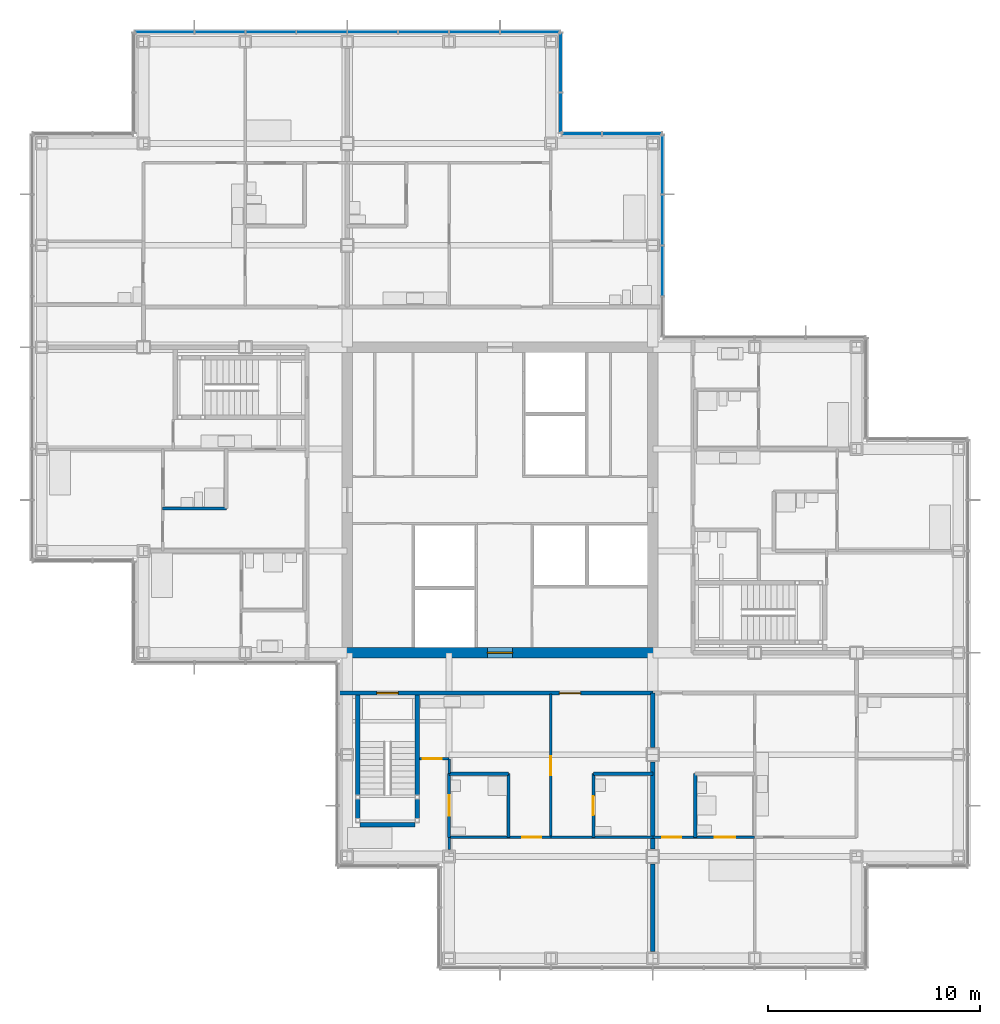
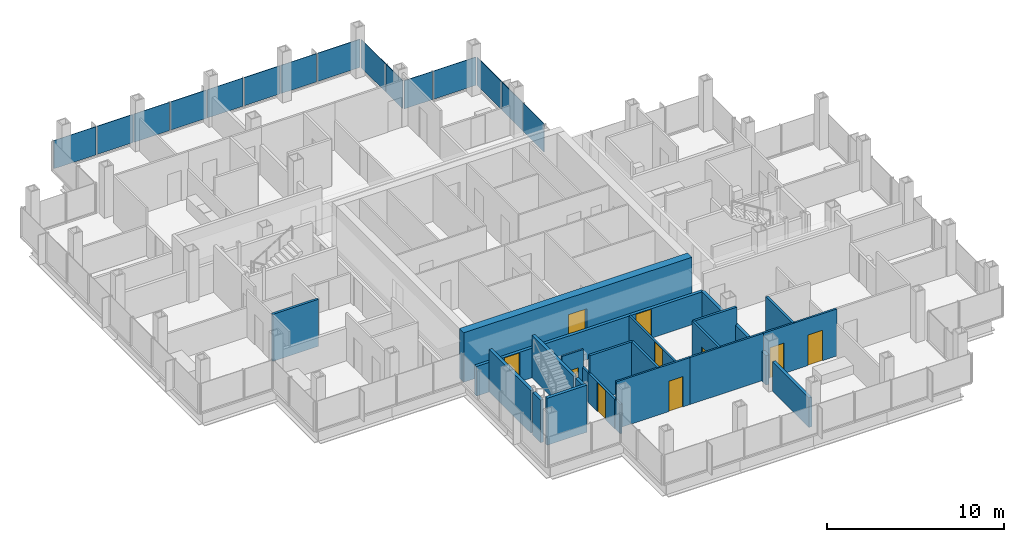
# One storey, part 13 of 20: 24 walls, 15 plates, 10 doors, 10 openings, 4 elements without a shape of their own.
"""IFC4 building model written with IfcOpenShell, lengths in metres."""

from ifc_helpers import new_model, si_unit, direction, frame, frame_2d, origin, origin_2d, place, context, subcontext, project, spatial, rectangle, extrude, material, layer, layer_set, type_object, element, fill, aggregate, save


model = new_model("IFC4")

# Units and contexts
model_context = context("Model", 3, precision=1e-05, world=origin(), true_north=direction((0.0, 1.0)))
body_context = subcontext(model_context, "Body", "Model", "MODEL_VIEW")
ifc_project = project(units=[si_unit("LENGTHUNIT", "METRE"), si_unit("AREAUNIT", "SQUARE_METRE"), si_unit("VOLUMEUNIT", "CUBIC_METRE"), si_unit("PLANEANGLEUNIT", "RADIAN"), si_unit("MASSUNIT", "GRAM", prefix="KILO")], contexts=[model_context])

# Site, building, storey
site_placement = place(None, origin())
site = spatial("IfcSite", under=ifc_project, at=site_placement, CompositionType="ELEMENT")
building_placement = place(site_placement, origin())
building = spatial("IfcBuilding", under=site, at=building_placement, Name="Kvirike Care Tower", CompositionType="ELEMENT")
storey_placement = place(building_placement, frame((0.0, 0.0, 133.0)))
storey = spatial("IfcBuildingStorey", under=building, at=storey_placement, Name="L36", CompositionType="ELEMENT", Elevation=133.0)

# Curtain wall, plates
ifc_material_1 = material(Name="Anodised aluminium stick system", Category="aluminium")
curtain_wall_type = type_object("IfcCurtainWallType", Name="CW-B STICK CURTAIN WALL", PredefinedType="NOTDEFINED", material=ifc_material_1)
curtain_wall_1_placement = place(storey_placement, origin())
curtain_wall_1 = element("IfcCurtainWall", 1, at=curtain_wall_1_placement, inside=storey, type_object=curtain_wall_type, Name="Curtain wall L36 face 5", PredefinedType="NOTDEFINED")
ifc_material_2 = material(Name="Tinted double glazed unit", Category="glass")
ifc_layer_1 = layer(ifc_material_2, 0.035888671875)
ifc_layer_set_1 = layer_set([ifc_layer_1], Name="TINTED VISION PANEL 36")
plate_type = type_object("IfcPlateType", Name="TINTED VISION PANEL 36", PredefinedType="CURTAIN_PANEL", material=ifc_layer_set_1)
plate_1_placement = place(storey_placement, frame((29.260009765625, 46.800048828125, 0.10009765625), z_axis=(0.0, 0.0, 1.0), x_axis=(0.0, 1.0, 0.0)))
plate_1 = element("IfcPlate", 2, at=plate_1_placement, type_object=plate_type, Name="CW-B panel L36 face 5.2", PredefinedType="CURTAIN_PANEL", context=body_context, shape_type="SweptSolid", body=[
    extrude(rectangle(XDim=2.3349609375, YDim=0.035888671875, at=origin_2d()), origin(), (0.0, 0.0, 1.0), 1.949951171875),
])
plate_2_placement = place(storey_placement, frame((29.260009765625, 49.199951171875, 0.10009765625), z_axis=(0.0, 0.0, 1.0), x_axis=(0.0, 1.0, 0.0)))
plate_2 = element("IfcPlate", 3, at=plate_2_placement, type_object=plate_type, Name="CW-B panel L36 face 5.3", PredefinedType="CURTAIN_PANEL", context=body_context, shape_type="SweptSolid", body=[
    extrude(rectangle(XDim=2.3349609375, YDim=0.035888671875, at=origin_2d()), origin(), (0.0, 0.0, 1.0), 1.949951171875),
])
plate_3_placement = place(storey_placement, frame((29.260009765625, 51.813720703125, 0.10009765625), z_axis=(0.0, 0.0, 1.0), x_axis=(0.0, 1.0, 0.0)))
plate_3 = element("IfcPlate", 4, at=plate_3_placement, type_object=plate_type, Name="CW-B panel L36 face 5.4", PredefinedType="CURTAIN_PANEL", context=body_context, shape_type="SweptSolid", body=[
    extrude(rectangle(XDim=2.762451171875, YDim=0.035888671875, at=origin_2d()), origin(), (0.0, 0.0, 1.0), 1.949951171875),
])
aggregate(curtain_wall_1, [plate_1, plate_2, plate_3])

curtain_wall_2_placement = place(storey_placement, origin())
curtain_wall_2 = element("IfcCurtainWall", 5, at=curtain_wall_2_placement, inside=storey, type_object=curtain_wall_type, Name="Curtain wall L36 face 6", PredefinedType="NOTDEFINED")
plate_4_placement = place(storey_placement, frame((27.813720703125, 53.260009765625, 0.10009765625), z_axis=(0.0, 0.0, 1.0), x_axis=(-1.0, 0.0, 0.0)))
plate_4 = element("IfcPlate", 6, at=plate_4_placement, type_object=plate_type, Name="CW-B panel L36 face 6.1", PredefinedType="CURTAIN_PANEL", context=body_context, shape_type="SweptSolid", body=[
    extrude(rectangle(XDim=2.762451171875, YDim=0.035888671875, at=origin_2d()), origin(), (0.0, 0.0, 1.0), 1.949951171875),
])
plate_5_placement = place(storey_placement, frame((25.4462890625, 53.260009765625, 0.10009765625), z_axis=(0.0, 0.0, 1.0), x_axis=(-1.0, 0.0, 0.0)))
plate_5 = element("IfcPlate", 7, at=plate_5_placement, type_object=plate_type, Name="CW-B panel L36 face 6.2", PredefinedType="CURTAIN_PANEL", context=body_context, shape_type="SweptSolid", body=[
    extrude(rectangle(XDim=1.842529296875, YDim=0.035888671875, at=origin_2d()), origin(), (0.0, 0.0, 1.0), 1.949951171875),
])
aggregate(curtain_wall_2, [plate_4, plate_5])

curtain_wall_3_placement = place(storey_placement, origin())
curtain_wall_3 = element("IfcCurtainWall", 8, at=curtain_wall_3_placement, inside=storey, type_object=curtain_wall_type, Name="Curtain wall L36 face 7", PredefinedType="NOTDEFINED")
plate_6_placement = place(storey_placement, frame((24.4599609375, 54.246337890625, 0.10009765625), z_axis=(0.0, 0.0, 1.0), x_axis=(0.0, 1.0, 0.0)))
plate_6 = element("IfcPlate", 9, at=plate_6_placement, type_object=plate_type, Name="CW-B panel L36 face 7.1", PredefinedType="CURTAIN_PANEL", context=body_context, shape_type="SweptSolid", body=[
    extrude(rectangle(XDim=1.842529296875, YDim=0.035888671875, at=origin_2d()), origin(), (0.0, 0.0, 1.0), 1.949951171875),
])
plate_7_placement = place(storey_placement, frame((24.4599609375, 56.61376953125, 0.10009765625), z_axis=(0.0, 0.0, 1.0), x_axis=(0.0, 1.0, 0.0)))
plate_7 = element("IfcPlate", 10, at=plate_7_placement, type_object=plate_type, Name="CW-B panel L36 face 7.2", PredefinedType="CURTAIN_PANEL", context=body_context, shape_type="SweptSolid", body=[
    extrude(rectangle(XDim=2.762451171875, YDim=0.035888671875, at=origin_2d()), origin(), (0.0, 0.0, 1.0), 1.949951171875),
])
aggregate(curtain_wall_3, [plate_6, plate_7])

curtain_wall_4_placement = place(storey_placement, origin())
curtain_wall_4 = element("IfcCurtainWall", 11, at=curtain_wall_4_placement, inside=storey, type_object=curtain_wall_type, Name="Curtain wall L36 face 8", PredefinedType="NOTDEFINED")
plate_8_placement = place(storey_placement, frame((23.013671875, 58.06005859375, 0.10009765625), z_axis=(0.0, 0.0, 1.0), x_axis=(-1.0, 0.0, 0.0)))
plate_8 = element("IfcPlate", 12, at=plate_8_placement, type_object=plate_type, Name="CW-B panel L36 face 8.1", PredefinedType="CURTAIN_PANEL", context=body_context, shape_type="SweptSolid", body=[
    extrude(rectangle(XDim=2.762451171875, YDim=0.035888671875, at=origin_2d()), origin(), (0.0, 0.0, 1.0), 1.949951171875),
])
plate_9_placement = place(storey_placement, frame((20.39990234375, 58.06005859375, 0.10009765625), z_axis=(0.0, 0.0, 1.0), x_axis=(-1.0, 0.0, 0.0)))
plate_9 = element("IfcPlate", 13, at=plate_9_placement, type_object=plate_type, Name="CW-B panel L36 face 8.2", PredefinedType="CURTAIN_PANEL", context=body_context, shape_type="SweptSolid", body=[
    extrude(rectangle(XDim=2.3349609375, YDim=0.035888671875, at=origin_2d()), origin(), (0.0, 0.0, 1.0), 1.949951171875),
])
plate_10_placement = place(storey_placement, frame((18.0, 58.06005859375, 0.10009765625), z_axis=(0.0, 0.0, 1.0), x_axis=(-1.0, 0.0, 0.0)))
plate_10 = element("IfcPlate", 14, at=plate_10_placement, type_object=plate_type, Name="CW-B panel L36 face 8.3", PredefinedType="CURTAIN_PANEL", context=body_context, shape_type="SweptSolid", body=[
    extrude(rectangle(XDim=2.3349609375, YDim=0.035888671875, at=origin_2d()), origin(), (0.0, 0.0, 1.0), 1.949951171875),
])
plate_11_placement = place(storey_placement, frame((15.60009765625, 58.06005859375, 0.10009765625), z_axis=(0.0, 0.0, 1.0), x_axis=(-1.0, 0.0, 0.0)))
plate_11 = element("IfcPlate", 15, at=plate_11_placement, type_object=plate_type, Name="CW-B panel L36 face 8.4", PredefinedType="CURTAIN_PANEL", context=body_context, shape_type="SweptSolid", body=[
    extrude(rectangle(XDim=2.3349609375, YDim=0.035888671875, at=origin_2d()), origin(), (0.0, 0.0, 1.0), 1.949951171875),
])
plate_12_placement = place(storey_placement, frame((13.199951171875, 58.06005859375, 0.10009765625), z_axis=(0.0, 0.0, 1.0), x_axis=(-1.0, 0.0, 0.0)))
plate_12 = element("IfcPlate", 16, at=plate_12_placement, type_object=plate_type, Name="CW-B panel L36 face 8.5", PredefinedType="CURTAIN_PANEL", context=body_context, shape_type="SweptSolid", body=[
    extrude(rectangle(XDim=2.3349609375, YDim=0.035888671875, at=origin_2d()), origin(), (0.0, 0.0, 1.0), 1.949951171875),
])
plate_13_placement = place(storey_placement, frame((10.800048828125, 58.06005859375, 0.10009765625), z_axis=(0.0, 0.0, 1.0), x_axis=(-1.0, 0.0, 0.0)))
plate_13 = element("IfcPlate", 17, at=plate_13_placement, type_object=plate_type, Name="CW-B panel L36 face 8.6", PredefinedType="CURTAIN_PANEL", context=body_context, shape_type="SweptSolid", body=[
    extrude(rectangle(XDim=2.3349609375, YDim=0.035888671875, at=origin_2d()), origin(), (0.0, 0.0, 1.0), 1.949951171875),
])
plate_14_placement = place(storey_placement, frame((8.39990234375, 58.06005859375, 0.10009765625), z_axis=(0.0, 0.0, 1.0), x_axis=(-1.0, 0.0, 0.0)))
plate_14 = element("IfcPlate", 18, at=plate_14_placement, type_object=plate_type, Name="CW-B panel L36 face 8.7", PredefinedType="CURTAIN_PANEL", context=body_context, shape_type="SweptSolid", body=[
    extrude(rectangle(XDim=2.3349609375, YDim=0.035888671875, at=origin_2d()), origin(), (0.0, 0.0, 1.0), 1.949951171875),
])
plate_15_placement = place(storey_placement, frame((5.7861328125, 58.06005859375, 0.10009765625), z_axis=(0.0, 0.0, 1.0), x_axis=(-1.0, 0.0, 0.0)))
plate_15 = element("IfcPlate", 19, at=plate_15_placement, type_object=plate_type, Name="CW-B panel L36 face 8.8", PredefinedType="CURTAIN_PANEL", context=body_context, shape_type="SweptSolid", body=[
    extrude(rectangle(XDim=2.762451171875, YDim=0.035888671875, at=origin_2d()), origin(), (0.0, 0.0, 1.0), 1.949951171875),
])
aggregate(curtain_wall_4, [plate_8, plate_9, plate_10, plate_11, plate_12, plate_13, plate_14, plate_15])

# Wall
ifc_material_3 = material(Name="Moisture-resistant board partition", Category="gypsum")
ifc_layer_2 = layer(ifc_material_3, 0.14990234375)
ifc_layer_set_2 = layer_set([ifc_layer_2], Name="BATHROOM WALL 150")
wall_type_1 = type_object("IfcWallType", Name="BATHROOM WALL 150", PredefinedType="PARTITIONING", material=ifc_layer_set_2)
wall_1_placement = place(storey_placement, frame((5.699951171875, 35.60009765625, 0.0), z_axis=(0.0, 0.0, 1.0), x_axis=(1.0, 0.0, 0.0)))
element("IfcWall", 20, at=wall_1_placement, inside=storey, type_object=wall_type_1, Name="Bathroom Wall 150 L36", PredefinedType="PARTITIONING", context=body_context, shape_type="SweptSolid", body=[
    extrude(rectangle(XDim=3.0, YDim=0.14990234375, at=frame_2d((1.5, 0.0))), origin(), (0.0, 0.0, 1.0), 3.25),
])

# Wall, opening, door
wall_2_placement = place(storey_placement, frame((26.0, 20.10009765625, 0.0), z_axis=(0.0, 0.0, 1.0), x_axis=(0.0, 1.0, 0.0)))
wall_2 = element("IfcWall", 21, at=wall_2_placement, inside=storey, type_object=wall_type_1, Name="Bathroom Wall 150 L36", PredefinedType="PARTITIONING", context=body_context, shape_type="SweptSolid", body=[
    extrude(rectangle(XDim=3.0, YDim=0.14990234375, at=frame_2d((1.5, 0.0))), origin(), (0.0, 0.0, 1.0), 3.25),
])
opening_1_placement = place(wall_2_placement, frame((1.050048828125, 0.0, 0.0)))
opening_1 = element("IfcOpeningElement", 22, at=opening_1_placement, cuts=wall_2, Name="Opening 36-016", PredefinedType="OPENING", context=body_context, shape_type="SweptSolid", body=[
    extrude(rectangle(XDim=0.89990234375, YDim=2.10009765625, at=frame_2d((0.449951171875, 1.050048828125))), frame((0.0, 0.08544921875, 0.0), z_axis=(0.0, -1.0, 0.0), x_axis=(1.0, 0.0, 0.0)), (0.0, 0.0, 1.0), 0.1708984375),
])
ifc_material_4 = material(Name="Timber door set", Category="wood")
door_type_1 = type_object("IfcDoorType", Name="BATHROOM DOOR 900", OperationType="SINGLE_SWING_RIGHT", PredefinedType="DOOR", material=ifc_material_4)
door_1_placement = place(opening_1_placement, frame((0.89990234375, 0.0, 0.0), z_axis=(0.0, 0.0, 1.0), x_axis=(-1.0, 0.0, 0.0)))
door_1 = element("IfcDoor", 23, at=door_1_placement, inside=storey, type_object=door_type_1, Name="Accessible WC door", OperationType="SINGLE_SWING_LEFT", OverallHeight=2.10009765625, OverallWidth=0.89990234375, PredefinedType="DOOR", context=body_context, shape_type="SweptSolid", body=[
    extrude(rectangle(XDim=0.89990234375, YDim=2.10009765625, at=frame_2d((0.449951171875, 1.050048828125))), frame((0.0, 0.02197265625, 0.0), z_axis=(0.0, -1.0, 0.0), x_axis=(1.0, 0.0, 0.0)), (0.0, 0.0, 1.0), 0.0439453125),
])
fill(opening_1, door_1)

# Wall
wall_3_placement = place(storey_placement, frame((26.0, 23.10009765625, 0.0), z_axis=(0.0, 0.0, 1.0), x_axis=(1.0, 0.0, 0.0)))
element("IfcWall", 24, at=wall_3_placement, inside=storey, type_object=wall_type_1, Name="Bathroom Wall 150 L36", PredefinedType="PARTITIONING", context=body_context, shape_type="SweptSolid", body=[
    extrude(rectangle(XDim=2.800048828125, YDim=0.14990234375, at=frame_2d((1.39990234375, 0.0))), origin(), (0.0, 0.0, 1.0), 3.25),
])

# Wall, opening, door
wall_4_placement = place(storey_placement, frame((19.199951171875, 20.10009765625, 0.0), z_axis=(0.0, 0.0, 1.0), x_axis=(0.0, 1.0, 0.0)))
wall_4 = element("IfcWall", 25, at=wall_4_placement, inside=storey, type_object=wall_type_1, Name="Bathroom Wall 150 L36", PredefinedType="PARTITIONING", context=body_context, shape_type="SweptSolid", body=[
    extrude(rectangle(XDim=3.0, YDim=0.14990234375, at=frame_2d((1.5, 0.0))), origin(), (0.0, 0.0, 1.0), 2.0400390625),
])
opening_2_placement = place(wall_4_placement, frame((1.02490234375, 0.0, 0.0)))
opening_2 = element("IfcOpeningElement", 26, at=opening_2_placement, cuts=wall_4, Name="Opening 36-017", PredefinedType="OPENING", context=body_context, shape_type="SweptSolid", body=[
    extrude(rectangle(XDim=0.949951171875, YDim=2.0, at=frame_2d((0.47509765625, 1.0))), frame((0.0, 0.08544921875, 0.0), z_axis=(0.0, -1.0, 0.0), x_axis=(1.0, 0.0, 0.0)), (0.0, 0.0, 1.0), 0.1708984375),
])
ifc_material_5 = material(Name="Timber door set", Category="wood")
door_type_2 = type_object("IfcDoorType", Name="EN-SUITE SLIDING DOOR 950 x 2000", OperationType="SLIDING_TO_LEFT", PredefinedType="DOOR", material=ifc_material_5)
door_2_placement = place(opening_2_placement, origin())
door_2 = element("IfcDoor", 27, at=door_2_placement, inside=storey, type_object=door_type_2, Name="En-suite door", OperationType="SLIDING_TO_LEFT", OverallHeight=2.0, OverallWidth=0.949951171875, PredefinedType="DOOR", context=body_context, shape_type="SweptSolid", body=[
    extrude(rectangle(XDim=0.949951171875, YDim=2.0, at=frame_2d((0.47509765625, 1.0))), frame((0.0, 0.02197265625, 0.0), z_axis=(0.0, -1.0, 0.0), x_axis=(1.0, 0.0, 0.0)), (0.0, 0.0, 1.0), 0.0439453125),
])
fill(opening_2, door_2)

# Walls
wall_5_placement = place(storey_placement, frame((22.0, 20.10009765625, 0.0), z_axis=(0.0, 0.0, 1.0), x_axis=(0.0, 1.0, 0.0)))
element("IfcWall", 28, at=wall_5_placement, inside=storey, type_object=wall_type_1, Name="Bathroom Wall 150 L36", PredefinedType="PARTITIONING", context=body_context, shape_type="SweptSolid", body=[
    extrude(rectangle(XDim=3.0, YDim=0.14990234375, at=frame_2d((1.5, 0.0))), origin(), (0.0, 0.0, 1.0), 3.25),
])
wall_6_placement = place(storey_placement, frame((19.199951171875, 23.10009765625, 0.0), z_axis=(0.0, 0.0, 1.0), x_axis=(1.0, 0.0, 0.0)))
element("IfcWall", 29, at=wall_6_placement, inside=storey, type_object=wall_type_1, Name="Bathroom Wall 150 L36", PredefinedType="PARTITIONING", context=body_context, shape_type="SweptSolid", body=[
    extrude(rectangle(XDim=2.800048828125, YDim=0.14990234375, at=frame_2d((1.39990234375, 0.0))), origin(), (0.0, 0.0, 1.0), 3.25),
])
wall_7_placement = place(storey_placement, frame((30.800048828125, 20.10009765625, 0.0), z_axis=(0.0, 0.0, 1.0), x_axis=(0.0, 1.0, 0.0)))
element("IfcWall", 30, at=wall_7_placement, inside=storey, type_object=wall_type_1, Name="Bathroom Wall 150 L36", PredefinedType="PARTITIONING", context=body_context, shape_type="SweptSolid", body=[
    extrude(rectangle(XDim=3.0, YDim=0.14990234375, at=frame_2d((1.5, 0.0))), origin(), (0.0, 0.0, 1.0), 3.25),
])

# Wall, opening, door
ifc_material_6 = material(Name="Concrete C50/60", Category="concrete")
ifc_layer_3 = layer(ifc_material_6, 0.5)
ifc_layer_set_3 = layer_set([ifc_layer_3], Name="CORE WALL 500 C50-60")
wall_type_2 = type_object("IfcWallType", Name="CORE WALL 500 C50-60", PredefinedType="SHEAR", material=ifc_layer_set_3)
wall_8_placement = place(storey_placement, frame((14.14990234375, 28.800048828125, -0.169921875), z_axis=(0.0, 0.0, 1.0), x_axis=(1.0, 0.0, 0.0)))
wall_8 = element("IfcWall", 31, at=wall_8_placement, inside=storey, type_object=wall_type_2, Name="Core wall S L36", PredefinedType="SHEAR", context=body_context, shape_type="SweptSolid", body=[
    extrude(rectangle(XDim=14.900146484375, YDim=0.5, at=frame_2d((7.4501953125, 0.0))), origin(), (0.0, 0.0, 1.0), 3.419921875),
])
opening_3_placement = place(wall_8_placement, frame((6.85009765625, 0.0, 0.169921875)))
opening_3 = element("IfcOpeningElement", 32, at=opening_3_placement, cuts=wall_8, Name="Opening 36-056", PredefinedType="OPENING", context=body_context, shape_type="SweptSolid", body=[
    extrude(rectangle(XDim=1.199951171875, YDim=2.10009765625, at=frame_2d((0.60009765625, 1.050048828125))), frame((0.0, 0.260498046875, 0.0), z_axis=(0.0, -1.0, 0.0), x_axis=(1.0, 0.0, 0.0)), (0.0, 0.0, 1.0), 0.52099609375),
])
ifc_material_7 = material(Name="Timber door set", Category="wood")
door_type_3 = type_object("IfcDoorType", Name="CORE DOOR 1200", OperationType="SINGLE_SWING_LEFT", PredefinedType="DOOR", material=ifc_material_7)
door_3_placement = place(opening_3_placement, origin())
door_3 = element("IfcDoor", 33, at=door_3_placement, inside=storey, type_object=door_type_3, Name="Core door S L36", OperationType="SINGLE_SWING_LEFT", OverallHeight=2.10009765625, OverallWidth=1.199951171875, PredefinedType="DOOR", context=body_context, shape_type="SweptSolid", body=[
    extrude(rectangle(XDim=1.199951171875, YDim=2.10009765625, at=frame_2d((0.60009765625, 1.050048828125))), frame((0.0, 0.02685546875, 0.0), z_axis=(0.0, -1.0, 0.0), x_axis=(1.0, 0.0, 0.0)), (0.0, 0.0, 1.0), 0.053955078125),
])
fill(opening_3, door_3)

# Wall, openings, doors
ifc_material_8 = material(Name="Plasterboard corridor wall", Category="gypsum")
ifc_layer_4 = layer(ifc_material_8, 0.199951171875)
ifc_layer_set_4 = layer_set([ifc_layer_4], Name="CORRIDOR WALL 200")
wall_type_3 = type_object("IfcWallType", Name="CORRIDOR WALL 200", PredefinedType="PARTITIONING", material=ifc_layer_set_4)
wall_9_placement = place(storey_placement, frame((13.9599609375, 26.89990234375, 0.0), z_axis=(0.0, 0.0, 1.0), x_axis=(1.0, 0.0, 0.0)))
wall_9 = element("IfcWall", 34, at=wall_9_placement, inside=storey, type_object=wall_type_3, Name="Corridor Wall 200 L36", PredefinedType="PARTITIONING", context=body_context, shape_type="SweptSolid", body=[
    extrude(rectangle(XDim=14.840087890625, YDim=0.199951171875, at=frame_2d((7.419921875, 0.0))), origin(), (0.0, 0.0, 1.0), 2.0400390625),
])
opening_4_placement = place(wall_9_placement, frame((1.840087890625, 0.0, 0.0)))
opening_4 = element("IfcOpeningElement", 35, at=opening_4_placement, cuts=wall_9, Name="Opening 36-021", PredefinedType="OPENING", context=body_context, shape_type="SweptSolid", body=[
    extrude(rectangle(XDim=1.0, YDim=2.0, at=frame_2d((0.5, 1.0))), frame((0.0, 0.110595703125, 0.0), z_axis=(0.0, -1.0, 0.0), x_axis=(1.0, 0.0, 0.0)), (0.0, 0.0, 1.0), 0.220947265625),
])
opening_5_placement = place(wall_9_placement, frame((10.43994140625, 0.0, 0.0)))
opening_5 = element("IfcOpeningElement", 36, at=opening_5_placement, cuts=wall_9, Name="Opening 36-022", PredefinedType="OPENING", context=body_context, shape_type="SweptSolid", body=[
    extrude(rectangle(XDim=1.0, YDim=2.0, at=frame_2d((0.5, 1.0))), frame((0.0, 0.110595703125, 0.0), z_axis=(0.0, -1.0, 0.0), x_axis=(1.0, 0.0, 0.0)), (0.0, 0.0, 1.0), 0.220947265625),
])
ifc_material_9 = material(Name="Timber door set", Category="wood")
door_type_4 = type_object("IfcDoorType", Name="FLAT ENTRANCE DOOR 1000 x 2000", OperationType="SINGLE_SWING_LEFT", PredefinedType="DOOR", material=ifc_material_9)
door_4_placement = place(opening_5_placement, frame((1.0, 0.0, 0.0), z_axis=(0.0, 0.0, 1.0), x_axis=(-1.0, 0.0, 0.0)))
door_4 = element("IfcDoor", 37, at=door_4_placement, inside=storey, type_object=door_type_4, Name="Assisted living suite for couples entrance", OperationType="SINGLE_SWING_LEFT", OverallHeight=2.0, OverallWidth=1.0, PredefinedType="DOOR", context=body_context, shape_type="SweptSolid", body=[
    extrude(rectangle(XDim=1.0, YDim=2.0, at=frame_2d((0.5, 1.0))), frame((0.0, 0.02685546875, 0.0), z_axis=(0.0, -1.0, 0.0), x_axis=(1.0, 0.0, 0.0)), (0.0, 0.0, 1.0), 0.053955078125),
])
fill(opening_5, door_4)
ifc_material_10 = material(Name="Timber door set", Category="wood")
door_type_5 = type_object("IfcDoorType", Name="STAIR DOOR 1000 x 2000", OperationType="SINGLE_SWING_LEFT", PredefinedType="DOOR", material=ifc_material_10)
door_5_placement = place(opening_4_placement, frame((1.0, 0.0, 0.0), z_axis=(0.0, 0.0, 1.0), x_axis=(-1.0, 0.0, 0.0)))
door_5 = element("IfcDoor", 38, at=door_5_placement, inside=storey, type_object=door_type_5, Name="Stair 5 door", OperationType="SINGLE_SWING_RIGHT", OverallHeight=2.0, OverallWidth=1.0, PredefinedType="DOOR", context=body_context, shape_type="SweptSolid", body=[
    extrude(rectangle(XDim=1.0, YDim=2.0, at=frame_2d((0.5, 1.0))), frame((0.0, 0.031982421875, 0.0), z_axis=(0.0, -1.0, 0.0), x_axis=(1.0, 0.0, 0.0)), (0.0, 0.0, 1.0), 0.06396484375),
])
fill(opening_4, door_5)

# Wall, opening, door
ifc_material_11 = material(Name="Plasterboard partition", Category="gypsum")
ifc_layer_5 = layer(ifc_material_11, 0.1201171875)
ifc_layer_set_5 = layer_set([ifc_layer_5], Name="PARTITION 120")
wall_type_4 = type_object("IfcWallType", Name="PARTITION 120", PredefinedType="PARTITIONING", material=ifc_layer_set_5)
wall_10_placement = place(storey_placement, frame((24.0, 20.10009765625, 0.0), z_axis=(0.0, 0.0, 1.0), x_axis=(0.0, 1.0, 0.0)))
wall_10 = element("IfcWall", 39, at=wall_10_placement, inside=storey, type_object=wall_type_4, Name="Partition 120 L36", PredefinedType="PARTITIONING", context=body_context, shape_type="SweptSolid", body=[
    extrude(rectangle(XDim=6.75, YDim=0.1201171875, at=frame_2d((3.375, 0.0))), origin(), (0.0, 0.0, 1.0), 2.0400390625),
])
opening_6_placement = place(wall_10_placement, frame((2.925048828125, 0.0, 0.0)))
opening_6 = element("IfcOpeningElement", 40, at=opening_6_placement, cuts=wall_10, Name="Opening 36-018", PredefinedType="OPENING", context=body_context, shape_type="SweptSolid", body=[
    extrude(rectangle(XDim=0.89990234375, YDim=2.0, at=frame_2d((0.449951171875, 1.0))), frame((0.0, 0.070556640625, 0.0), z_axis=(0.0, -1.0, 0.0), x_axis=(1.0, 0.0, 0.0)), (0.0, 0.0, 1.0), 0.14111328125),
])
ifc_material_12 = material(Name="Timber door set", Category="wood")
door_type_6 = type_object("IfcDoorType", Name="INTERNAL DOOR 900 x 2000", OperationType="SINGLE_SWING_LEFT", PredefinedType="DOOR", material=ifc_material_12)
door_6_placement = place(opening_6_placement, frame((0.89990234375, 0.0, 0.0), z_axis=(0.0, 0.0, 1.0), x_axis=(-1.0, 0.0, 0.0)))
door_6 = element("IfcDoor", 41, at=door_6_placement, inside=storey, type_object=door_type_6, Name="Hall door", OperationType="SINGLE_SWING_RIGHT", OverallHeight=2.0, OverallWidth=0.89990234375, PredefinedType="DOOR", context=body_context, shape_type="SweptSolid", body=[
    extrude(rectangle(XDim=0.89990234375, YDim=2.0, at=frame_2d((0.449951171875, 1.0))), frame((0.0, 0.02197265625, 0.0), z_axis=(0.0, -1.0, 0.0), x_axis=(1.0, 0.0, 0.0)), (0.0, 0.0, 1.0), 0.0439453125),
])
fill(opening_6, door_6)

wall_11_placement = place(storey_placement, frame((17.800048828125, 23.800048828125, 0.0), z_axis=(0.0, 0.0, 1.0), x_axis=(1.0, 0.0, 0.0)))
wall_11 = element("IfcWall", 42, at=wall_11_placement, inside=storey, type_object=wall_type_4, Name="Partition 120 L36", PredefinedType="PARTITIONING", context=body_context, shape_type="SweptSolid", body=[
    extrude(rectangle(XDim=1.39990234375, YDim=0.1201171875, at=frame_2d((0.699951171875, 0.0))), origin(), (0.0, 0.0, 1.0), 3.25),
])
opening_7_placement = place(wall_11_placement, frame((0.14990234375, 0.0, 0.0)))
opening_7 = element("IfcOpeningElement", 43, at=opening_7_placement, cuts=wall_11, Name="Opening 36-019", PredefinedType="OPENING", context=body_context, shape_type="SweptSolid", body=[
    extrude(rectangle(XDim=0.89990234375, YDim=2.10009765625, at=frame_2d((0.449951171875, 1.050048828125))), frame((0.0, 0.070556640625, 0.0), z_axis=(0.0, -1.0, 0.0), x_axis=(1.0, 0.0, 0.0)), (0.0, 0.0, 1.0), 0.14111328125),
])
ifc_material_13 = material(Name="Timber door set", Category="wood")
door_type_7 = type_object("IfcDoorType", Name="INTERNAL DOOR 900", OperationType="SINGLE_SWING_LEFT", PredefinedType="DOOR", material=ifc_material_13)
door_7_placement = place(opening_7_placement, frame((0.89990234375, 0.0, 0.0), z_axis=(0.0, 0.0, 1.0), x_axis=(-1.0, 0.0, 0.0)))
door_7 = element("IfcDoor", 44, at=door_7_placement, inside=storey, type_object=door_type_7, Name="Assisted living suite door", OperationType="SINGLE_SWING_LEFT", OverallHeight=2.10009765625, OverallWidth=0.89990234375, PredefinedType="DOOR", context=body_context, shape_type="SweptSolid", body=[
    extrude(rectangle(XDim=0.89990234375, YDim=2.10009765625, at=frame_2d((0.449951171875, 1.050048828125))), frame((0.0, 0.02197265625, 0.0), z_axis=(0.0, -1.0, 0.0), x_axis=(1.0, 0.0, 0.0)), (0.0, 0.0, 1.0), 0.0439453125),
])
fill(opening_7, door_7)

wall_12_placement = place(storey_placement, frame((19.199951171875, 20.10009765625, 0.0), z_axis=(0.0, 0.0, 1.0), x_axis=(1.0, 0.0, 0.0)))
wall_12 = element("IfcWall", 45, at=wall_12_placement, inside=storey, type_object=wall_type_4, Name="Partition 120 L36", PredefinedType="PARTITIONING", context=body_context, shape_type="SweptSolid", body=[
    extrude(rectangle(XDim=4.800048828125, YDim=0.1201171875, at=frame_2d((2.39990234375, 0.0))), origin(), (0.0, 0.0, 1.0), 3.25),
])
opening_8_placement = place(wall_12_placement, frame((3.449951171875, 0.0, 0.0)))
opening_8 = element("IfcOpeningElement", 46, at=opening_8_placement, cuts=wall_12, Name="Opening 36-020", PredefinedType="OPENING", context=body_context, shape_type="SweptSolid", body=[
    extrude(rectangle(XDim=0.89990234375, YDim=2.10009765625, at=frame_2d((0.449951171875, 1.050048828125))), frame((0.0, 0.070556640625, 0.0), z_axis=(0.0, -1.0, 0.0), x_axis=(1.0, 0.0, 0.0)), (0.0, 0.0, 1.0), 0.14111328125),
])
door_8_placement = place(opening_8_placement, origin())
door_8 = element("IfcDoor", 47, at=door_8_placement, inside=storey, type_object=door_type_7, Name="Suite sitting room door", OperationType="SINGLE_SWING_LEFT", OverallHeight=2.10009765625, OverallWidth=0.89990234375, PredefinedType="DOOR", context=body_context, shape_type="SweptSolid", body=[
    extrude(rectangle(XDim=0.89990234375, YDim=2.10009765625, at=frame_2d((0.449951171875, 1.050048828125))), frame((0.0, 0.02197265625, 0.0), z_axis=(0.0, -1.0, 0.0), x_axis=(1.0, 0.0, 0.0)), (0.0, 0.0, 1.0), 0.0439453125),
])
fill(opening_8, door_8)

# Walls
wall_13_placement = place(storey_placement, frame((24.0, 20.10009765625, 0.0), z_axis=(0.0, 0.0, 1.0), x_axis=(1.0, 0.0, 0.0)))
element("IfcWall", 48, at=wall_13_placement, inside=storey, type_object=wall_type_4, Name="Partition 120 L36", PredefinedType="PARTITIONING", context=body_context, shape_type="SweptSolid", body=[
    extrude(rectangle(XDim=4.800048828125, YDim=0.1201171875, at=frame_2d((2.39990234375, 0.0))), origin(), (0.0, 0.0, 1.0), 3.25),
])
wall_14_placement = place(storey_placement, frame((19.199951171875, 19.52001953125, 0.0), z_axis=(0.0, 0.0, 1.0), x_axis=(0.0, 1.0, 0.0)))
element("IfcWall", 49, at=wall_14_placement, inside=storey, type_object=wall_type_4, Name="Partition 120 L36", PredefinedType="PARTITIONING", context=body_context, shape_type="SweptSolid", body=[
    extrude(rectangle(XDim=0.580078125, YDim=0.1201171875, at=frame_2d((0.2900390625, 0.0))), origin(), (0.0, 0.0, 1.0), 2.0400390625),
])
wall_15_placement = place(storey_placement, frame((19.199951171875, 23.10009765625, 0.0), z_axis=(0.0, 0.0, 1.0), x_axis=(0.0, 1.0, 0.0)))
element("IfcWall", 50, at=wall_15_placement, inside=storey, type_object=wall_type_4, Name="Partition 120 L36", PredefinedType="PARTITIONING", context=body_context, shape_type="SweptSolid", body=[
    extrude(rectangle(XDim=0.699951171875, YDim=0.1201171875, at=frame_2d((0.35009765625, 0.0))), origin(), (0.0, 0.0, 1.0), 2.0400390625),
])

# Wall, openings, doors
wall_16_placement = place(storey_placement, frame((28.800048828125, 20.10009765625, 0.0), z_axis=(0.0, 0.0, 1.0), x_axis=(1.0, 0.0, 0.0)))
wall_16 = element("IfcWall", 51, at=wall_16_placement, inside=storey, type_object=wall_type_4, Name="Partition 120 L36", PredefinedType="PARTITIONING", context=body_context, shape_type="SweptSolid", body=[
    extrude(rectangle(XDim=4.800048828125, YDim=0.1201171875, at=frame_2d((2.39990234375, 0.0))), origin(), (0.0, 0.0, 1.0), 3.25),
])
opening_9_placement = place(wall_16_placement, frame((0.449951171875, 0.0, 0.0)))
opening_9 = element("IfcOpeningElement", 52, at=opening_9_placement, cuts=wall_16, Name="Opening 36-031", PredefinedType="OPENING", context=body_context, shape_type="SweptSolid", body=[
    extrude(rectangle(XDim=0.89990234375, YDim=2.10009765625, at=frame_2d((0.449951171875, 1.050048828125))), frame((0.0, 0.070556640625, 0.0), z_axis=(0.0, -1.0, 0.0), x_axis=(1.0, 0.0, 0.0)), (0.0, 0.0, 1.0), 0.14111328125),
])
opening_10_placement = place(wall_16_placement, frame((2.925048828125, 0.0, 0.0)))
opening_10 = element("IfcOpeningElement", 53, at=opening_10_placement, cuts=wall_16, Name="Opening 36-032", PredefinedType="OPENING", context=body_context, shape_type="SweptSolid", body=[
    extrude(rectangle(XDim=0.949951171875, YDim=2.10009765625, at=frame_2d((0.47509765625, 1.050048828125))), frame((0.0, 0.070556640625, 0.0), z_axis=(0.0, -1.0, 0.0), x_axis=(1.0, 0.0, 0.0)), (0.0, 0.0, 1.0), 0.14111328125),
])
ifc_material_14 = material(Name="Timber door set", Category="wood")
door_type_8 = type_object("IfcDoorType", Name="EN-SUITE SLIDING DOOR 950", OperationType="SLIDING_TO_LEFT", PredefinedType="DOOR", material=ifc_material_14)
door_9_placement = place(opening_10_placement, origin())
door_9 = element("IfcDoor", 54, at=door_9_placement, inside=storey, type_object=door_type_8, Name="En-suite door", OperationType="SLIDING_TO_LEFT", OverallHeight=2.10009765625, OverallWidth=0.949951171875, PredefinedType="DOOR", context=body_context, shape_type="SweptSolid", body=[
    extrude(rectangle(XDim=0.949951171875, YDim=2.10009765625, at=frame_2d((0.47509765625, 1.050048828125))), frame((0.0, 0.02197265625, 0.0), z_axis=(0.0, -1.0, 0.0), x_axis=(1.0, 0.0, 0.0)), (0.0, 0.0, 1.0), 0.0439453125),
])
fill(opening_10, door_9)
door_10_placement = place(opening_9_placement, origin())
door_10 = element("IfcDoor", 55, at=door_10_placement, inside=storey, type_object=door_type_7, Name="Assisted living suite door", OperationType="SINGLE_SWING_RIGHT", OverallHeight=2.10009765625, OverallWidth=0.89990234375, PredefinedType="DOOR", context=body_context, shape_type="SweptSolid", body=[
    extrude(rectangle(XDim=0.89990234375, YDim=2.10009765625, at=frame_2d((0.449951171875, 1.050048828125))), frame((0.0, 0.02197265625, 0.0), z_axis=(0.0, -1.0, 0.0), x_axis=(1.0, 0.0, 0.0)), (0.0, 0.0, 1.0), 0.0439453125),
])
fill(opening_9, door_10)

# Walls
ifc_material_15 = material(Name="Plasterboard party wall", Category="gypsum")
ifc_layer_6 = layer(ifc_material_15, 0.199951171875)
ifc_layer_set_6 = layer_set([ifc_layer_6], Name="PARTY WALL 200")
wall_type_5 = type_object("IfcWallType", Name="PARTY WALL 200", PredefinedType="PARTITIONING", material=ifc_layer_set_6)
wall_17_placement = place(storey_placement, frame((28.800048828125, 14.719970703125, 0.0), z_axis=(0.0, 0.0, 1.0), x_axis=(0.0, 1.0, 0.0)))
element("IfcWall", 56, at=wall_17_placement, inside=storey, type_object=wall_type_5, Name="Party Wall 200 L36", PredefinedType="PARTITIONING", context=body_context, shape_type="SweptSolid", body=[
    extrude(rectangle(XDim=4.135009765625, YDim=0.199951171875, at=frame_2d((2.0673828125, 0.0))), origin(), (0.0, 0.0, 1.0), 2.0400390625),
])
wall_18_placement = place(storey_placement, frame((28.800048828125, 19.544921875, 0.0), z_axis=(0.0, 0.0, 1.0), x_axis=(0.0, 1.0, 0.0)))
element("IfcWall", 57, at=wall_18_placement, inside=storey, type_object=wall_type_5, Name="Party Wall 200 L36", PredefinedType="PARTITIONING", context=body_context, shape_type="SweptSolid", body=[
    extrude(rectangle(XDim=4.110107421875, YDim=0.199951171875, at=frame_2d((2.05517578125, 0.0))), origin(), (0.0, 0.0, 1.0), 2.0400390625),
])
wall_19_placement = place(storey_placement, frame((28.800048828125, 24.344970703125, 0.0), z_axis=(0.0, 0.0, 1.0), x_axis=(0.0, 1.0, 0.0)))
element("IfcWall", 58, at=wall_19_placement, inside=storey, type_object=wall_type_5, Name="Party Wall 200 L36", PredefinedType="PARTITIONING", context=body_context, shape_type="SweptSolid", body=[
    extrude(rectangle(XDim=2.554931640625, YDim=0.199951171875, at=frame_2d((1.27734375, 0.0))), origin(), (0.0, 0.0, 1.0), 2.0400390625),
])
ifc_material_16 = material(Name="Concrete C40/50", Category="concrete")
ifc_layer_7 = layer(ifc_material_16, 0.199951171875)
ifc_layer_set_7 = layer_set([ifc_layer_7], Name="STAIR WALL 200")
wall_type_6 = type_object("IfcWallType", Name="STAIR WALL 200", PredefinedType="SOLIDWALL", material=ifc_layer_set_7)
wall_20_placement = place(storey_placement, frame((14.89990234375, 21.0, 0.0), z_axis=(0.0, 0.0, 1.0), x_axis=(0.0, 1.0, 0.0)))
element("IfcWall", 59, at=wall_20_placement, inside=storey, type_object=wall_type_6, Name="Stair Wall 200 L36", PredefinedType="SOLIDWALL", context=body_context, shape_type="SweptSolid", body=[
    extrude(rectangle(XDim=0.89990234375, YDim=0.199951171875, at=frame_2d((0.449951171875, 0.0))), origin(), (0.0, 0.0, 1.0), 2.93994140625),
])
wall_21_placement = place(storey_placement, frame((14.89990234375, 22.10009765625, 0.0), z_axis=(0.0, 0.0, 1.0), x_axis=(0.0, 1.0, 0.0)))
element("IfcWall", 60, at=wall_21_placement, inside=storey, type_object=wall_type_6, Name="Stair Wall 200 L36", PredefinedType="SOLIDWALL", context=body_context, shape_type="SweptSolid", body=[
    extrude(rectangle(XDim=4.699951171875, YDim=0.199951171875, at=frame_2d((2.35009765625, 0.0))), origin(), (0.0, 0.0, 1.0), 2.93994140625),
])
wall_22_placement = place(storey_placement, frame((17.699951171875, 21.0, 0.0), z_axis=(0.0, 0.0, 1.0), x_axis=(0.0, 1.0, 0.0)))
element("IfcWall", 61, at=wall_22_placement, inside=storey, type_object=wall_type_6, Name="Stair Wall 200 L36", PredefinedType="SOLIDWALL", context=body_context, shape_type="SweptSolid", body=[
    extrude(rectangle(XDim=0.89990234375, YDim=0.199951171875, at=frame_2d((0.449951171875, 0.0))), origin(), (0.0, 0.0, 1.0), 2.93994140625),
])
wall_23_placement = place(storey_placement, frame((17.699951171875, 22.10009765625, 0.0), z_axis=(0.0, 0.0, 1.0), x_axis=(0.0, 1.0, 0.0)))
element("IfcWall", 62, at=wall_23_placement, inside=storey, type_object=wall_type_6, Name="Stair Wall 200 L36", PredefinedType="SOLIDWALL", context=body_context, shape_type="SweptSolid", body=[
    extrude(rectangle(XDim=4.699951171875, YDim=0.199951171875, at=frame_2d((2.35009765625, 0.0))), origin(), (0.0, 0.0, 1.0), 2.93994140625),
])
wall_24_placement = place(storey_placement, frame((15.0, 20.699951171875, 0.0), z_axis=(0.0, 0.0, 1.0), x_axis=(1.0, 0.0, 0.0)))
element("IfcWall", 63, at=wall_24_placement, inside=storey, type_object=wall_type_6, Name="Stair Wall 200 L36", PredefinedType="SOLIDWALL", context=body_context, shape_type="SweptSolid", body=[
    extrude(rectangle(XDim=2.60009765625, YDim=0.199951171875, at=frame_2d((1.300048828125, 0.0))), origin(), (0.0, 0.0, 1.0), 3.25),
])

save(model, "model.ifc")
